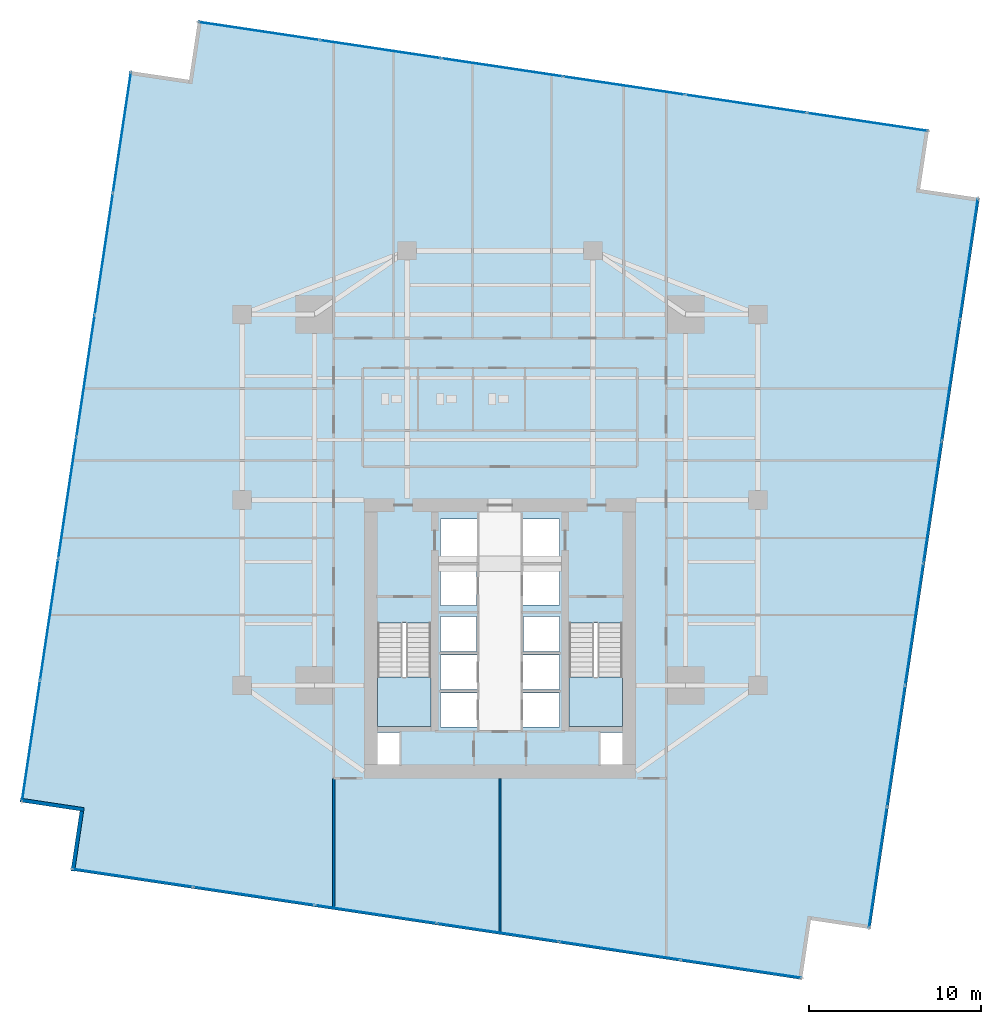
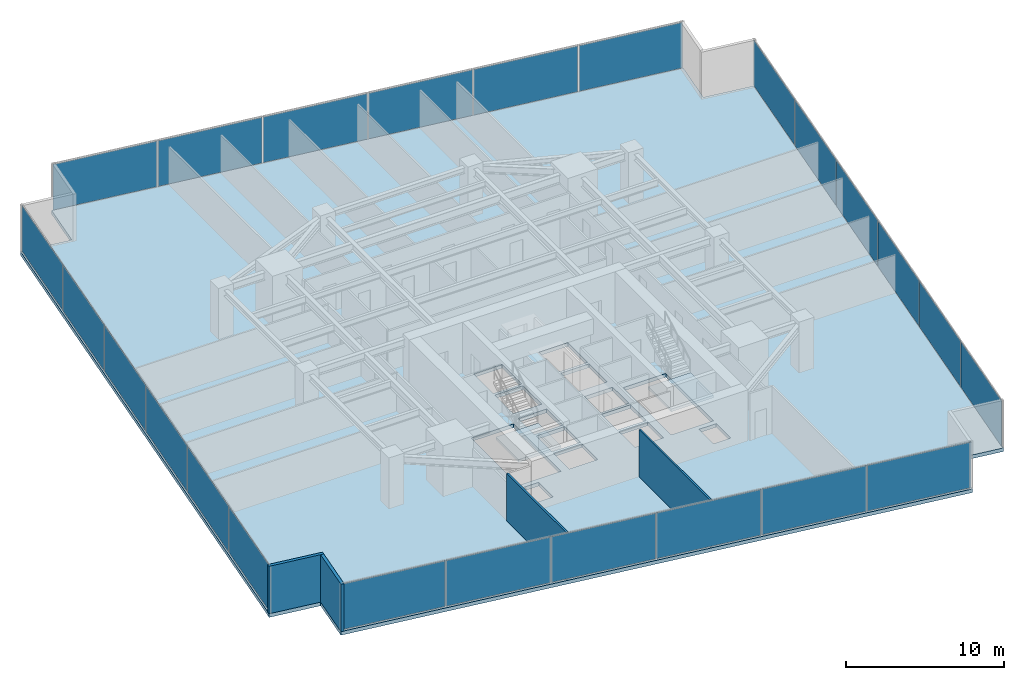
# One storey, part 24 of 29: 24 plates, 4 walls, 3 slabs, 6 elements without a shape of their own.
"""IFC4 building model written with IfcOpenShell, lengths in metres."""

from ifc_helpers import new_model, si_unit, direction, frame, frame_2d, origin, origin_2d, place, context, subcontext, project, spatial, polyline, rectangle, outline, extrude, source, transform, mapped, material, layer, layer_set, type_object, type_shapes, element, aggregate, save


model = new_model("IFC4")

# Units and contexts
model_context = context("Model", 3, precision=1e-05, world=origin(), true_north=direction((0.0, 1.0)))
body_context = subcontext(model_context, "Body", "Model", "MODEL_VIEW")
ifc_project = project(units=[si_unit("LENGTHUNIT", "METRE"), si_unit("AREAUNIT", "SQUARE_METRE"), si_unit("VOLUMEUNIT", "CUBIC_METRE"), si_unit("PLANEANGLEUNIT", "RADIAN"), si_unit("MASSUNIT", "GRAM", prefix="KILO")], contexts=[model_context])

# Site, building, storey
site_placement = place(None, origin())
site = spatial("IfcSite", under=ifc_project, at=site_placement, CompositionType="ELEMENT")
building_placement = place(site_placement, origin())
building = spatial("IfcBuilding", under=site, at=building_placement, Name="Krantzveldt Concourse Tower", CompositionType="ELEMENT")
storey_placement = place(building_placement, frame((0.0, 0.0, 72.39990234375)))
storey = spatial("IfcBuildingStorey", under=building, at=storey_placement, Name="L17", CompositionType="ELEMENT", Elevation=72.39990234375)

# Stair, slab
ifc_material_1 = material(Name="Precast concrete C40/50", Category="concrete")
stair_type = type_object("IfcStairType", Name="STR-CORE-DOGLEG", PredefinedType="HALF_TURN_STAIR", material=ifc_material_1)
stair_1_placement = place(storey_placement, origin())
stair_1 = element("IfcStair", 1, at=stair_1_placement, inside=storey, type_object=stair_type, Name="L17 Protected Escape Stair ST-1", PredefinedType="HALF_TURN_STAIR")
ifc_layer_1 = layer(ifc_material_1, 0.199951171875, Name="Precast concrete C40/50", Category="concrete")
ifc_layer_set_1 = layer_set([ifc_layer_1], Name="Precast concrete C40/50 (SL-LANDING-200)")
slab_type_1 = type_object("IfcSlabType", Name="SL-LANDING-200", PredefinedType="LANDING", material=ifc_layer_set_1)
slab_1_placement = place(storey_placement, frame((0.0, 0.0, 1.775146484375)))
slab_1 = element("IfcSlab", 2, at=slab_1_placement, type_object=slab_type_1, Name="ST-1 landing 1", PredefinedType="LANDING", context=body_context, shape_type="SweptSolid", body=[
    extrude(outline(polyline([(28.8798828125, 16.4150390625), (28.8798828125, 13.52001953125), (31.97998046875, 13.52001953125), (31.97998046875, 16.4150390625), (28.8798828125, 16.4150390625)])), origin(), (0.0, 0.0, 1.0), 0.199951171875),
])
aggregate(stair_1, [slab_1])

stair_2_placement = place(storey_placement, origin())
stair_2 = element("IfcStair", 3, at=stair_2_placement, inside=storey, type_object=stair_type, Name="L17 Protected Escape Stair ST-2", PredefinedType="HALF_TURN_STAIR")
slab_2_placement = place(storey_placement, frame((0.0, 0.0, 1.775146484375)))
slab_2 = element("IfcSlab", 4, at=slab_2_placement, type_object=slab_type_1, Name="ST-2 landing 1", PredefinedType="LANDING", context=body_context, shape_type="SweptSolid", body=[
    extrude(outline(polyline([(40.02001953125, 16.4150390625), (40.02001953125, 13.52001953125), (43.1201171875, 13.52001953125), (43.1201171875, 16.4150390625), (40.02001953125, 16.4150390625)])), origin(), (0.0, 0.0, 1.0), 0.199951171875),
])
aggregate(stair_2, [slab_2])

# Slab
ifc_material_2 = material(Name="Concrete C40/50", Category="concrete")
ifc_layer_2 = layer(ifc_material_2, 0.280029296875, Name="Concrete C40/50", Category="concrete")
ifc_layer_set_2 = layer_set([ifc_layer_2], Name="Concrete C40/50 (SL-SL-TWR280)")
slab_type_2 = type_object("IfcSlabType", Name="SL-SL-TWR280", PredefinedType="FLOOR", material=ifc_layer_set_2)
slab_3_placement = place(storey_placement, frame((0.0, 0.0, -0.27978515625)))
element("IfcSlab", 5, at=slab_3_placement, inside=storey, type_object=slab_type_2, Name="SL-L17-MAIN", PredefinedType="FLOOR", context=body_context, shape_type="SweptSolid", body=[
    extrude(outline(polyline([(17.9140625, 51.141845703125), (14.452392578125, 51.6591796875), (8.0966796875, 9.13134765625), (11.558349609375, 8.614013671875), (11.041015625, 5.152587890625), (53.568603515625, -1.203369140625), (54.0859375, 2.25830078125), (57.547607421875, 1.740966796875), (63.9033203125, 44.2685546875), (60.441650390625, 44.785888671875), (60.958984375, 48.24755859375), (18.431396484375, 54.603271484375), (17.9140625, 51.141845703125)]), holes=[polyline([(28.8798828125, 19.547607421875), (28.8798828125, 13.52001953125), (31.97998046875, 13.52001953125), (31.97998046875, 19.547607421875), (28.8798828125, 19.547607421875)]), polyline([(40.02001953125, 19.547607421875), (40.02001953125, 13.52001953125), (43.1201171875, 13.52001953125), (43.1201171875, 19.547607421875), (40.02001953125, 19.547607421875)]), polyline([(32.550048828125, 23.10009765625), (34.64990234375, 23.10009765625), (34.64990234375, 25.60009765625), (32.550048828125, 25.60009765625), (32.550048828125, 23.10009765625)]), polyline([(37.35009765625, 23.10009765625), (39.449951171875, 23.10009765625), (39.449951171875, 25.60009765625), (37.35009765625, 25.60009765625), (37.35009765625, 23.10009765625)]), polyline([(37.35009765625, 20.60009765625), (39.449951171875, 20.60009765625), (39.449951171875, 22.89990234375), (37.35009765625, 22.89990234375), (37.35009765625, 20.60009765625)]), polyline([(32.550048828125, 13.47998046875), (34.64990234375, 13.47998046875), (34.64990234375, 15.47998046875), (32.550048828125, 15.47998046875), (32.550048828125, 13.47998046875)]), polyline([(32.550048828125, 15.679931640625), (34.64990234375, 15.679931640625), (34.64990234375, 17.679931640625), (32.550048828125, 17.679931640625), (32.550048828125, 15.679931640625)]), polyline([(37.35009765625, 13.47998046875), (39.449951171875, 13.47998046875), (39.449951171875, 15.47998046875), (37.35009765625, 15.47998046875), (37.35009765625, 13.47998046875)]), polyline([(37.35009765625, 15.679931640625), (39.449951171875, 15.679931640625), (39.449951171875, 17.679931640625), (37.35009765625, 17.679931640625), (37.35009765625, 15.679931640625)]), polyline([(32.550048828125, 20.550048828125), (34.6201171875, 20.550048828125), (34.6201171875, 22.89990234375), (32.550048828125, 22.89990234375), (32.550048828125, 20.550048828125)]), polyline([(32.550048828125, 17.8798828125), (34.6201171875, 17.8798828125), (34.6201171875, 19.919921875), (32.550048828125, 19.919921875), (32.550048828125, 17.8798828125)]), polyline([(37.3798828125, 17.8798828125), (39.449951171875, 17.8798828125), (39.449951171875, 19.919921875), (37.3798828125, 19.919921875), (37.3798828125, 17.8798828125)]), polyline([(28.8798828125, 11.320068359375), (30.139892578125, 11.320068359375), (30.139892578125, 13.159912109375), (28.8798828125, 13.159912109375), (28.8798828125, 11.320068359375)]), polyline([(41.860107421875, 11.320068359375), (43.1201171875, 11.320068359375), (43.1201171875, 13.159912109375), (41.860107421875, 13.159912109375), (41.860107421875, 11.320068359375)])]), origin(), (0.0, 0.0, 1.0), 0.27978515625),
])

# Curtain wall, plates
ifc_material_3 = material(Name="Anodised aluminium 6063-T6", Category="aluminium")
curtain_wall_type = type_object("IfcCurtainWallType", Name="CW2", PredefinedType="USERDEFINED", material=ifc_material_3)
curtain_wall_1_placement = place(storey_placement, origin())
curtain_wall_1 = element("IfcCurtainWall", 6, at=curtain_wall_1_placement, inside=storey, type_object=curtain_wall_type, Name="CW-L17-F01", ObjectType="UNITISED CURTAIN WALL", PredefinedType="USERDEFINED")
ifc_material_4 = material(Name="Bronze-tinted laminated low-E IGU glass", Category="glass")
ifc_layer_3 = layer(ifc_material_4, 0.031982421875, Name="Bronze-tinted laminated low-E IGU glass", Category="glass")
ifc_layer_set_3 = layer_set([ifc_layer_3], Name="Bronze-tinted laminated low-E IGU glass (CW-GLZ-32)")
plate_type = type_object("IfcPlateType", Name="CW-GLZ-32", PredefinedType="CURTAIN_PANEL", material=ifc_layer_set_3)
shared_shape_1 = source(origin(), body_context, "Body", "SweptSolid", [
    extrude(rectangle(XDim=7.061767578125, YDim=0.031982421875, at=origin_2d()), origin(), (0.0, 0.0, 1.0), 3.530029296875),
])
plate_1_placement = place(storey_placement, frame((14.00927734375, 48.08447265625, 0.0703125), z_axis=(0.0, 0.0, 1.0), x_axis=(-0.147809505412, -0.989015849271, 0.0)))
plate_1 = element("IfcPlate", 7, at=plate_1_placement, type_object=plate_type, Name="CW-Z12 panel 1.1", PredefinedType="CURTAIN_PANEL", context=body_context, shape_type="MappedRepresentation", body=[
    mapped(shared_shape_1, transform((0.0, 0.0, 0.0), x_axis=(1.0, 0.0, 0.0), y_axis=(0.0, 1.0, 0.0), z_axis=(0.0, 0.0, 1.0), scale=1.0)),
])
plate_2_placement = place(storey_placement, frame((8.718017578125, 12.679443359375, 0.0703125), z_axis=(0.0, 0.0, 1.0), x_axis=(-0.147809505412, -0.989015849271, 0.0)))
plate_2 = element("IfcPlate", 8, at=plate_2_placement, type_object=plate_type, Name="CW-Z12 panel 6.1", PredefinedType="CURTAIN_PANEL", context=body_context, shape_type="MappedRepresentation", body=[
    mapped(shared_shape_1, transform((0.0, 0.0, 0.0), x_axis=(1.0, 0.0, 0.0), y_axis=(0.0, 1.0, 0.0), z_axis=(0.0, 0.0, 1.0), scale=1.0)),
])

curtain_wall_2_placement = place(storey_placement, origin())
curtain_wall_2 = element("IfcCurtainWall", 9, at=curtain_wall_2_placement, inside=storey, type_object=curtain_wall_type, Name="CW-L17-F04", ObjectType="UNITISED CURTAIN WALL", PredefinedType="USERDEFINED")
plate_3_placement = place(storey_placement, frame((14.615478515625, 4.709228515625, 0.0703125), z_axis=(0.0, 0.0, 1.0), x_axis=(0.989015849271, -0.147809505412, 0.0)))
plate_3 = element("IfcPlate", 10, at=plate_3_placement, type_object=plate_type, Name="CW-Z12 panel 1.1", PredefinedType="CURTAIN_PANEL", context=body_context, shape_type="MappedRepresentation", body=[
    mapped(shared_shape_1, transform((0.0, 0.0, 0.0), x_axis=(1.0, 0.0, 0.0), y_axis=(0.0, 1.0, 0.0), z_axis=(0.0, 0.0, 1.0), scale=1.0)),
])
plate_4_placement = place(storey_placement, frame((50.0205078125, -0.58203125, 0.0703125), z_axis=(0.0, 0.0, 1.0), x_axis=(0.989015849271, -0.147809505412, 0.0)))
plate_4 = element("IfcPlate", 11, at=plate_4_placement, type_object=plate_type, Name="CW-Z12 panel 6.1", PredefinedType="CURTAIN_PANEL", context=body_context, shape_type="MappedRepresentation", body=[
    mapped(shared_shape_1, transform((0.0, 0.0, 0.0), x_axis=(1.0, 0.0, 0.0), y_axis=(0.0, 1.0, 0.0), z_axis=(0.0, 0.0, 1.0), scale=1.0)),
])

curtain_wall_3_placement = place(storey_placement, origin())
curtain_wall_3 = element("IfcCurtainWall", 12, at=curtain_wall_3_placement, inside=storey, type_object=curtain_wall_type, Name="CW-L17-F07", ObjectType="UNITISED CURTAIN WALL", PredefinedType="USERDEFINED")
plate_5_placement = place(storey_placement, frame((57.99072265625, 5.3154296875, 0.0703125), z_axis=(0.0, 0.0, 1.0), x_axis=(0.147809505412, 0.989015849271, 0.0)))
plate_5 = element("IfcPlate", 13, at=plate_5_placement, type_object=plate_type, Name="CW-Z12 panel 1.1", PredefinedType="CURTAIN_PANEL", context=body_context, shape_type="MappedRepresentation", body=[
    mapped(shared_shape_1, transform((0.0, 0.0, 0.0), x_axis=(1.0, 0.0, 0.0), y_axis=(0.0, 1.0, 0.0), z_axis=(0.0, 0.0, 1.0), scale=1.0)),
])
plate_6_placement = place(storey_placement, frame((63.281982421875, 40.720703125, 0.0703125), z_axis=(0.0, 0.0, 1.0), x_axis=(0.147809505412, 0.989015849271, 0.0)))
plate_6 = element("IfcPlate", 14, at=plate_6_placement, type_object=plate_type, Name="CW-Z12 panel 6.1", PredefinedType="CURTAIN_PANEL", context=body_context, shape_type="MappedRepresentation", body=[
    mapped(shared_shape_1, transform((0.0, 0.0, 0.0), x_axis=(1.0, 0.0, 0.0), y_axis=(0.0, 1.0, 0.0), z_axis=(0.0, 0.0, 1.0), scale=1.0)),
])

curtain_wall_4_placement = place(storey_placement, origin())
curtain_wall_4 = element("IfcCurtainWall", 15, at=curtain_wall_4_placement, inside=storey, type_object=curtain_wall_type, Name="CW-L17-F10", ObjectType="UNITISED CURTAIN WALL", PredefinedType="USERDEFINED")
plate_7_placement = place(storey_placement, frame((57.384521484375, 48.690673828125, 0.0703125), z_axis=(0.0, 0.0, 1.0), x_axis=(-0.989015849271, 0.147809505412, 0.0)))
plate_7 = element("IfcPlate", 16, at=plate_7_placement, type_object=plate_type, Name="CW-Z12 panel 1.1", PredefinedType="CURTAIN_PANEL", context=body_context, shape_type="MappedRepresentation", body=[
    mapped(shared_shape_1, transform((0.0, 0.0, 0.0), x_axis=(1.0, 0.0, 0.0), y_axis=(0.0, 1.0, 0.0), z_axis=(0.0, 0.0, 1.0), scale=1.0)),
])
plate_8_placement = place(storey_placement, frame((21.9794921875, 53.98193359375, 0.0703125), z_axis=(0.0, 0.0, 1.0), x_axis=(-0.989015849271, 0.147809505412, 0.0)))
plate_8 = element("IfcPlate", 17, at=plate_8_placement, type_object=plate_type, Name="CW-Z12 panel 6.1", PredefinedType="CURTAIN_PANEL", context=body_context, shape_type="MappedRepresentation", body=[
    mapped(shared_shape_1, transform((0.0, 0.0, 0.0), x_axis=(1.0, 0.0, 0.0), y_axis=(0.0, 1.0, 0.0), z_axis=(0.0, 0.0, 1.0), scale=1.0)),
])

# Plate
shared_shape_2 = source(origin(), body_context, "Body", "SweptSolid", [
    extrude(rectangle(XDim=7.0966796875, YDim=0.031982421875, at=origin_2d()), origin(), (0.0, 0.0, 1.0), 3.530029296875),
])
type_shapes(plate_type, [shared_shape_1, shared_shape_2])
plate_9_placement = place(storey_placement, frame((12.95263671875, 41.013916015625, 0.0703125), z_axis=(0.0, 0.0, 1.0), x_axis=(-0.147809505412, -0.989015849271, 0.0)))
plate_9 = element("IfcPlate", 18, at=plate_9_placement, type_object=plate_type, Name="CW-Z12 panel 2.1", PredefinedType="CURTAIN_PANEL", context=body_context, shape_type="MappedRepresentation", body=[
    mapped(shared_shape_2, transform((0.0, 0.0, 0.0), x_axis=(1.0, 0.0, 0.0), y_axis=(0.0, 1.0, 0.0), z_axis=(0.0, 0.0, 1.0), scale=1.0)),
])

plate_10_placement = place(storey_placement, frame((11.893310546875, 33.926025390625, 0.0703125), z_axis=(0.0, 0.0, 1.0), x_axis=(-0.147809505412, -0.989015849271, 0.0)))
plate_10 = element("IfcPlate", 19, at=plate_10_placement, type_object=plate_type, Name="CW-Z12 panel 3.1", PredefinedType="CURTAIN_PANEL", context=body_context, shape_type="MappedRepresentation", body=[
    mapped(shared_shape_2, transform((0.0, 0.0, 0.0), x_axis=(1.0, 0.0, 0.0), y_axis=(0.0, 1.0, 0.0), z_axis=(0.0, 0.0, 1.0), scale=1.0)),
])

plate_11_placement = place(storey_placement, frame((10.833984375, 26.837890625, 0.0703125), z_axis=(0.0, 0.0, 1.0), x_axis=(-0.147809505412, -0.989015849271, 0.0)))
plate_11 = element("IfcPlate", 20, at=plate_11_placement, type_object=plate_type, Name="CW-Z12 panel 4.1", PredefinedType="CURTAIN_PANEL", context=body_context, shape_type="MappedRepresentation", body=[
    mapped(shared_shape_2, transform((0.0, 0.0, 0.0), x_axis=(1.0, 0.0, 0.0), y_axis=(0.0, 1.0, 0.0), z_axis=(0.0, 0.0, 1.0), scale=1.0)),
])

plate_12_placement = place(storey_placement, frame((9.774658203125, 19.75, 0.0703125), z_axis=(0.0, 0.0, 1.0), x_axis=(-0.147809505412, -0.989015849271, 0.0)))
plate_12 = element("IfcPlate", 21, at=plate_12_placement, type_object=plate_type, Name="CW-Z12 panel 5.1", PredefinedType="CURTAIN_PANEL", context=body_context, shape_type="MappedRepresentation", body=[
    mapped(shared_shape_2, transform((0.0, 0.0, 0.0), x_axis=(1.0, 0.0, 0.0), y_axis=(0.0, 1.0, 0.0), z_axis=(0.0, 0.0, 1.0), scale=1.0)),
])

aggregate(curtain_wall_1, [plate_1, plate_9, plate_10, plate_11, plate_12, plate_2])

plate_13_placement = place(storey_placement, frame((21.68603515625, 3.652587890625, 0.0703125), z_axis=(0.0, 0.0, 1.0), x_axis=(0.989015849271, -0.147809505412, 0.0)))
plate_13 = element("IfcPlate", 22, at=plate_13_placement, type_object=plate_type, Name="CW-Z12 panel 2.1", PredefinedType="CURTAIN_PANEL", context=body_context, shape_type="MappedRepresentation", body=[
    mapped(shared_shape_2, transform((0.0, 0.0, 0.0), x_axis=(1.0, 0.0, 0.0), y_axis=(0.0, 1.0, 0.0), z_axis=(0.0, 0.0, 1.0), scale=1.0)),
])

plate_14_placement = place(storey_placement, frame((28.774169921875, 2.59326171875, 0.0703125), z_axis=(0.0, 0.0, 1.0), x_axis=(0.989015849271, -0.147809505412, 0.0)))
plate_14 = element("IfcPlate", 23, at=plate_14_placement, type_object=plate_type, Name="CW-Z12 panel 3.1", PredefinedType="CURTAIN_PANEL", context=body_context, shape_type="MappedRepresentation", body=[
    mapped(shared_shape_2, transform((0.0, 0.0, 0.0), x_axis=(1.0, 0.0, 0.0), y_axis=(0.0, 1.0, 0.0), z_axis=(0.0, 0.0, 1.0), scale=1.0)),
])

plate_15_placement = place(storey_placement, frame((35.862060546875, 1.533935546875, 0.0703125), z_axis=(0.0, 0.0, 1.0), x_axis=(0.989015849271, -0.147809505412, 0.0)))
plate_15 = element("IfcPlate", 24, at=plate_15_placement, type_object=plate_type, Name="CW-Z12 panel 4.1", PredefinedType="CURTAIN_PANEL", context=body_context, shape_type="MappedRepresentation", body=[
    mapped(shared_shape_2, transform((0.0, 0.0, 0.0), x_axis=(1.0, 0.0, 0.0), y_axis=(0.0, 1.0, 0.0), z_axis=(0.0, 0.0, 1.0), scale=1.0)),
])

plate_16_placement = place(storey_placement, frame((42.949951171875, 0.474609375, 0.0703125), z_axis=(0.0, 0.0, 1.0), x_axis=(0.989015849271, -0.147809505412, 0.0)))
plate_16 = element("IfcPlate", 25, at=plate_16_placement, type_object=plate_type, Name="CW-Z12 panel 5.1", PredefinedType="CURTAIN_PANEL", context=body_context, shape_type="MappedRepresentation", body=[
    mapped(shared_shape_2, transform((0.0, 0.0, 0.0), x_axis=(1.0, 0.0, 0.0), y_axis=(0.0, 1.0, 0.0), z_axis=(0.0, 0.0, 1.0), scale=1.0)),
])

aggregate(curtain_wall_2, [plate_3, plate_13, plate_14, plate_15, plate_16, plate_4])

plate_17_placement = place(storey_placement, frame((59.04736328125, 12.38623046875, 0.0703125), z_axis=(0.0, 0.0, 1.0), x_axis=(0.147809505412, 0.989015849271, 0.0)))
plate_17 = element("IfcPlate", 26, at=plate_17_placement, type_object=plate_type, Name="CW-Z12 panel 2.1", PredefinedType="CURTAIN_PANEL", context=body_context, shape_type="MappedRepresentation", body=[
    mapped(shared_shape_2, transform((0.0, 0.0, 0.0), x_axis=(1.0, 0.0, 0.0), y_axis=(0.0, 1.0, 0.0), z_axis=(0.0, 0.0, 1.0), scale=1.0)),
])

plate_18_placement = place(storey_placement, frame((60.106689453125, 19.47412109375, 0.0703125), z_axis=(0.0, 0.0, 1.0), x_axis=(0.147809505412, 0.989015849271, 0.0)))
plate_18 = element("IfcPlate", 27, at=plate_18_placement, type_object=plate_type, Name="CW-Z12 panel 3.1", PredefinedType="CURTAIN_PANEL", context=body_context, shape_type="MappedRepresentation", body=[
    mapped(shared_shape_2, transform((0.0, 0.0, 0.0), x_axis=(1.0, 0.0, 0.0), y_axis=(0.0, 1.0, 0.0), z_axis=(0.0, 0.0, 1.0), scale=1.0)),
])

plate_19_placement = place(storey_placement, frame((61.166015625, 26.56201171875, 0.0703125), z_axis=(0.0, 0.0, 1.0), x_axis=(0.147809505412, 0.989015849271, 0.0)))
plate_19 = element("IfcPlate", 28, at=plate_19_placement, type_object=plate_type, Name="CW-Z12 panel 4.1", PredefinedType="CURTAIN_PANEL", context=body_context, shape_type="MappedRepresentation", body=[
    mapped(shared_shape_2, transform((0.0, 0.0, 0.0), x_axis=(1.0, 0.0, 0.0), y_axis=(0.0, 1.0, 0.0), z_axis=(0.0, 0.0, 1.0), scale=1.0)),
])

plate_20_placement = place(storey_placement, frame((62.225341796875, 33.64990234375, 0.0703125), z_axis=(0.0, 0.0, 1.0), x_axis=(0.147809505412, 0.989015849271, 0.0)))
plate_20 = element("IfcPlate", 29, at=plate_20_placement, type_object=plate_type, Name="CW-Z12 panel 5.1", PredefinedType="CURTAIN_PANEL", context=body_context, shape_type="MappedRepresentation", body=[
    mapped(shared_shape_2, transform((0.0, 0.0, 0.0), x_axis=(1.0, 0.0, 0.0), y_axis=(0.0, 1.0, 0.0), z_axis=(0.0, 0.0, 1.0), scale=1.0)),
])

aggregate(curtain_wall_3, [plate_5, plate_17, plate_18, plate_19, plate_20, plate_6])

plate_21_placement = place(storey_placement, frame((50.31396484375, 49.747314453125, 0.0703125), z_axis=(0.0, 0.0, 1.0), x_axis=(-0.989015849271, 0.147809505412, 0.0)))
plate_21 = element("IfcPlate", 30, at=plate_21_placement, type_object=plate_type, Name="CW-Z12 panel 2.1", PredefinedType="CURTAIN_PANEL", context=body_context, shape_type="MappedRepresentation", body=[
    mapped(shared_shape_2, transform((0.0, 0.0, 0.0), x_axis=(1.0, 0.0, 0.0), y_axis=(0.0, 1.0, 0.0), z_axis=(0.0, 0.0, 1.0), scale=1.0)),
])

plate_22_placement = place(storey_placement, frame((43.225830078125, 50.806640625, 0.0703125), z_axis=(0.0, 0.0, 1.0), x_axis=(-0.989015849271, 0.147809505412, 0.0)))
plate_22 = element("IfcPlate", 31, at=plate_22_placement, type_object=plate_type, Name="CW-Z12 panel 3.1", PredefinedType="CURTAIN_PANEL", context=body_context, shape_type="MappedRepresentation", body=[
    mapped(shared_shape_2, transform((0.0, 0.0, 0.0), x_axis=(1.0, 0.0, 0.0), y_axis=(0.0, 1.0, 0.0), z_axis=(0.0, 0.0, 1.0), scale=1.0)),
])

plate_23_placement = place(storey_placement, frame((36.137939453125, 51.865966796875, 0.0703125), z_axis=(0.0, 0.0, 1.0), x_axis=(-0.989015849271, 0.147809505412, 0.0)))
plate_23 = element("IfcPlate", 32, at=plate_23_placement, type_object=plate_type, Name="CW-Z12 panel 4.1", PredefinedType="CURTAIN_PANEL", context=body_context, shape_type="MappedRepresentation", body=[
    mapped(shared_shape_2, transform((0.0, 0.0, 0.0), x_axis=(1.0, 0.0, 0.0), y_axis=(0.0, 1.0, 0.0), z_axis=(0.0, 0.0, 1.0), scale=1.0)),
])

plate_24_placement = place(storey_placement, frame((29.050048828125, 52.92529296875, 0.0703125), z_axis=(0.0, 0.0, 1.0), x_axis=(-0.989015849271, 0.147809505412, 0.0)))
plate_24 = element("IfcPlate", 33, at=plate_24_placement, type_object=plate_type, Name="CW-Z12 panel 5.1", PredefinedType="CURTAIN_PANEL", context=body_context, shape_type="MappedRepresentation", body=[
    mapped(shared_shape_2, transform((0.0, 0.0, 0.0), x_axis=(1.0, 0.0, 0.0), y_axis=(0.0, 1.0, 0.0), z_axis=(0.0, 0.0, 1.0), scale=1.0)),
])

aggregate(curtain_wall_4, [plate_7, plate_21, plate_22, plate_23, plate_24, plate_8])

# Walls
ifc_layer_4 = layer(ifc_material_3, 0.219970703125, Name="Anodised aluminium 6063-T6", Category="aluminium")
ifc_layer_set_4 = layer_set([ifc_layer_4], Name="Anodised aluminium 6063-T6 (WL-EXT-NOTCH220)")
wall_type_1 = type_object("IfcWallType", Name="WL-EXT-NOTCH220", PredefinedType="ELEMENTEDWALL", material=ifc_layer_set_4)
wall_1_placement = place(storey_placement, frame((8.088134765625, 9.243896484375, 0.0), z_axis=(0.0, 0.0, 1.0), x_axis=(0.989018923648, -0.147788932826, 0.0)))
element("IfcWall", 34, at=wall_1_placement, inside=storey, type_object=wall_type_1, Name="EW-L17-NCH02", PredefinedType="ELEMENTEDWALL", context=body_context, shape_type="SweptSolid", body=[
    extrude(rectangle(XDim=3.744873046875, YDim=0.219970703125, at=frame_2d((1.87255859375, 0.0))), origin(), (0.0, 0.0, 1.0), 3.670166015625),
])
wall_2_placement = place(storey_placement, frame((11.6669921875, 8.597900390625, 0.0), z_axis=(0.0, 0.0, 1.0), x_axis=(-0.147798551521, -0.98901748628, 0.0)))
element("IfcWall", 35, at=wall_2_placement, inside=storey, type_object=wall_type_1, Name="EW-L17-NCH03", PredefinedType="ELEMENTEDWALL", context=body_context, shape_type="SweptSolid", body=[
    extrude(rectangle(XDim=3.525146484375, YDim=0.219970703125, at=frame_2d((1.7626953125, 0.0))), origin(), (0.0, 0.0, 1.0), 3.670166015625),
])
ifc_material_5 = material(Name="Fire-rated gypsum plasterboard on steel stud", Category="steel")
ifc_layer_5 = layer(ifc_material_5, 0.1201171875, Name="Fire-rated gypsum plasterboard on steel stud", Category="steel")
ifc_layer_set_5 = layer_set([ifc_layer_5], Name="Fire-rated gypsum plasterboard on steel stud (WL-PART-120)")
wall_type_2 = type_object("IfcWallType", Name="WL-PART-120", PredefinedType="PARTITIONING", material=ifc_layer_set_5)
wall_3_placement = place(storey_placement, frame((36.0, 1.51318359375, 0.0), z_axis=(0.0, 0.0, 1.0), x_axis=(0.0, 1.0, 0.0)))
element("IfcWall", 36, at=wall_3_placement, inside=storey, type_object=wall_type_2, Name="WP-L17-SMD", PredefinedType="PARTITIONING", context=body_context, shape_type="SweptSolid", body=[
    extrude(rectangle(XDim=8.98681640625, YDim=0.1201171875, at=frame_2d((4.493408203125, 0.0))), origin(), (0.0, 0.0, 1.0), 3.670166015625),
])
ifc_layer_6 = layer(ifc_material_5, 0.139892578125, Name="Fire-rated gypsum plasterboard on steel stud", Category="steel")
ifc_layer_set_6 = layer_set([ifc_layer_6], Name="Fire-rated gypsum plasterboard on steel stud (WL-PART-140)")
wall_type_3 = type_object("IfcWallType", Name="WL-PART-140", PredefinedType="PARTITIONING", material=ifc_layer_set_6)
wall_4_placement = place(storey_placement, frame((26.320068359375, 2.9599609375, 0.0), z_axis=(0.0, 0.0, 1.0), x_axis=(0.0, 1.0, 0.0)))
element("IfcWall", 37, at=wall_4_placement, inside=storey, type_object=wall_type_3, Name="WP-L17-SWL", PredefinedType="PARTITIONING", context=body_context, shape_type="SweptSolid", body=[
    extrude(rectangle(XDim=7.5400390625, YDim=0.139892578125, at=frame_2d((3.77001953125, 0.0))), origin(), (0.0, 0.0, 1.0), 3.670166015625),
])

save(model, "model.ifc")
